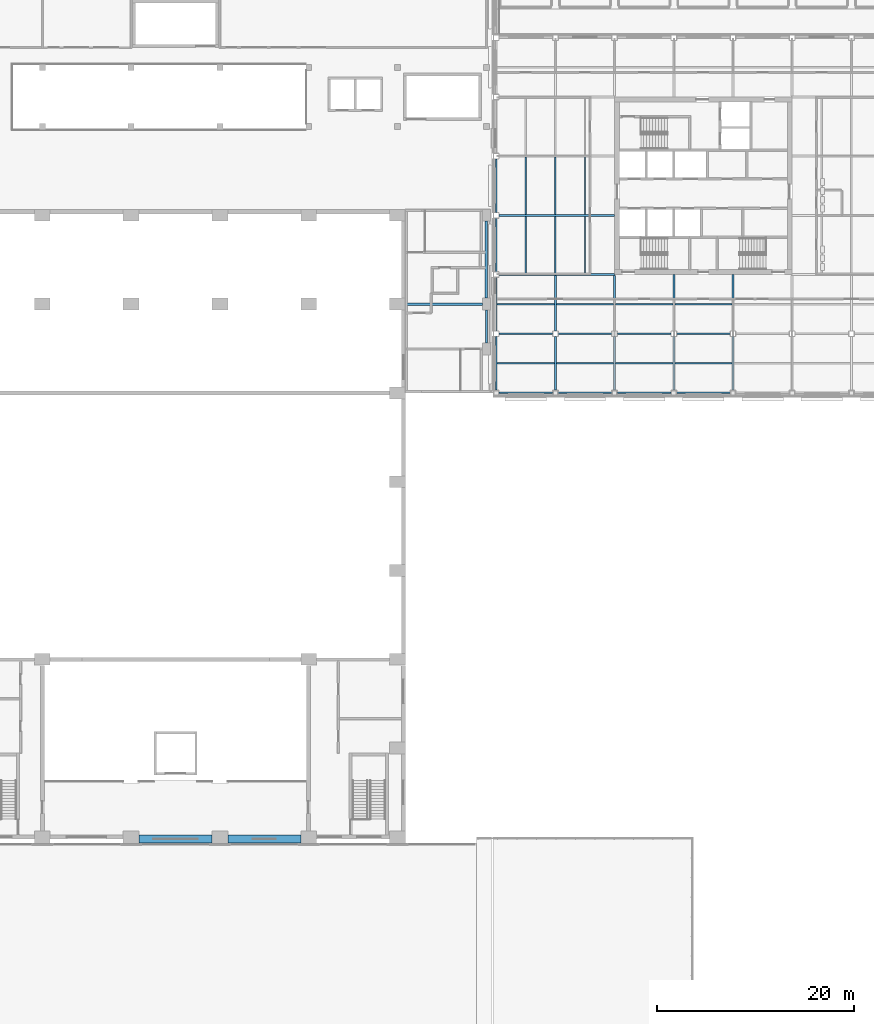
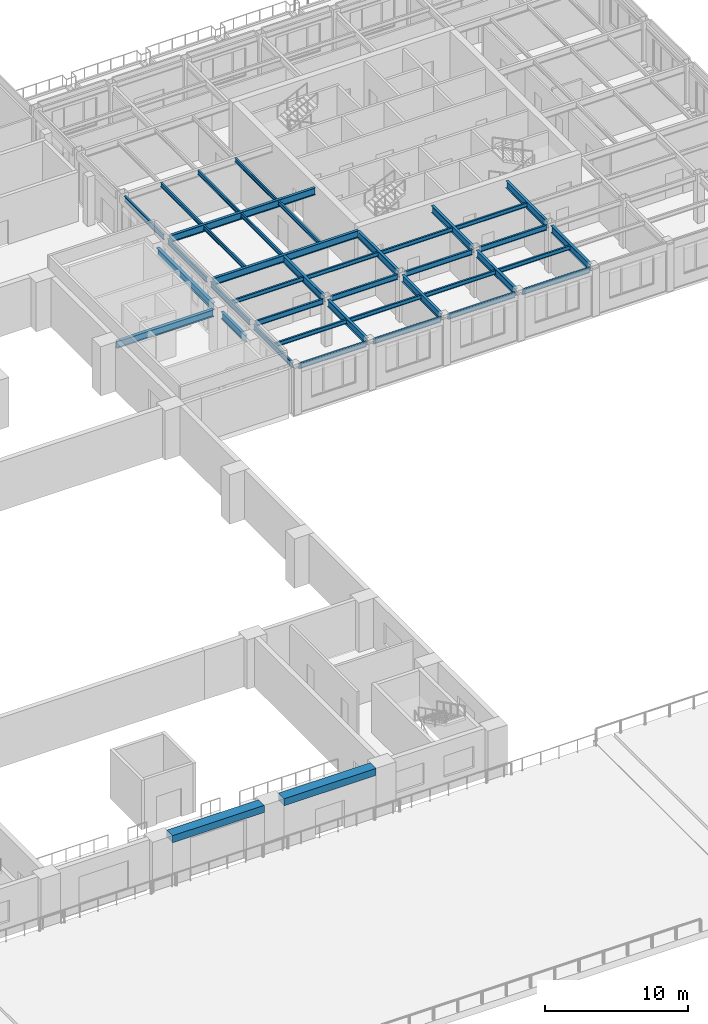
# One storey, part 7 of 39: 41 beams.
"""IFC4 building model written with IfcOpenShell, lengths in metres."""

import ifcopenshell
import ifcopenshell.guid

model = None  # the IFC model being written
_history = None  # IfcOwnerHistory: only IFC2X3 demands one
_inside = {}  # id of a spatial element -> (the spatial element, [elements in it])
_under = {}  # id of a project, library or spatial element -> (it, [spatial elements below it])
_declared = {}  # id of a project -> (the project, [libraries it declares])
_typed = {}  # id of a type object -> (the type object, [elements of that type])
_made_of = {}  # id of a material, layer set ... -> (it, [elements and type objects made of it])


def new_model(schema):
    """Start an empty IFC model of exactly this schema.

    Asked for "IFC4X3", IfcOpenShell would pick the latest addendum, in which some entities
    have other attributes; the version numbers below select the first issue.
    IFC2X3 requires an IfcOwnerHistory on every rooted entity: one is made here for all.
    """
    global model, _history
    if schema == "IFC4X3":
        model = ifcopenshell.file(schema_version=(4, 3, 0, 0))
    else:
        model = ifcopenshell.file(schema=schema)
    _inside.clear()
    _under.clear()
    _declared.clear()
    _typed.clear()
    _made_of.clear()
    _history = None
    if model.schema == "IFC2X3":
        org = make("IfcOrganization", Name="unknown")
        user = make(
            "IfcPersonAndOrganization",
            ThePerson=make("IfcPerson", FamilyName="unknown"),
            TheOrganization=org,
        )
        app = make(
            "IfcApplication",
            ApplicationDeveloper=org,
            Version="unknown",
            ApplicationFullName="unknown",
            ApplicationIdentifier="unknown",
        )
        _history = make(
            "IfcOwnerHistory",
            OwningUser=user,
            OwningApplication=app,
            ChangeAction="ADDED",
            CreationDate=0,
        )
    return model


def make(cls, **values):
    """One entity of the class cls with the attributes given. An attribute that is None is left unset."""
    return model.create_entity(
        cls, **{name: value for name, value in values.items() if value is not None}
    )


def rooted(cls, **values):
    """An entity with a GlobalId (a new one), such as an element, a storey or a relation."""
    return make(cls, GlobalId=ifcopenshell.guid.new(), OwnerHistory=_history, **values)


def si_unit(unit_type, name, prefix=None):
    """IfcSIUnit, for example si_unit("LENGTHUNIT", "METRE", prefix="MILLI")."""
    return make("IfcSIUnit", UnitType=unit_type, Prefix=prefix, Name=name)


def assignment(units):
    """IfcUnitAssignment: the units of a project."""
    return None if units is None else make("IfcUnitAssignment", Units=units)


def point(xyz):
    """IfcCartesianPoint."""
    return None if xyz is None else make("IfcCartesianPoint", Coordinates=xyz)


def direction(xyz):
    """IfcDirection."""
    return None if xyz is None else make("IfcDirection", DirectionRatios=xyz)


def frame(location, z_axis=None, x_axis=None):
    """IfcAxis2Placement3D, a coordinate frame: its origin and axes. An axis left out is left unset."""
    return make(
        "IfcAxis2Placement3D",
        Location=point(location),
        Axis=direction(z_axis),
        RefDirection=direction(x_axis),
    )


def frame_2d(location, x_axis=None):
    """IfcAxis2Placement2D, a coordinate frame in the plane: its origin and x axis."""
    return make(
        "IfcAxis2Placement2D", Location=point(location), RefDirection=direction(x_axis)
    )


def origin():
    """The frame at (0, 0, 0) with its axes left unset."""
    return frame((0.0, 0.0, 0.0))


def origin_2d():
    """The frame at (0, 0) in the plane with its x axis left unset."""
    return frame_2d((0.0, 0.0))


def place(relative_to, where):
    """IfcLocalPlacement: puts the frame where relative to a parent placement (None: the world)."""
    return make(
        "IfcLocalPlacement", PlacementRelTo=relative_to, RelativePlacement=where
    )


def context(
    kind, dimensions, precision=None, world=None, true_north=None, identifier=None
):
    """IfcGeometricRepresentationContext, for example the 3D "Model" context."""
    return make(
        "IfcGeometricRepresentationContext",
        ContextIdentifier=identifier,
        ContextType=kind,
        CoordinateSpaceDimension=dimensions,
        Precision=precision,
        WorldCoordinateSystem=world,
        TrueNorth=true_north,
    )


def subcontext(parent, identifier, kind, view, scale=None):
    """IfcGeometricRepresentationSubContext, for example "Body" below "Model"."""
    return make(
        "IfcGeometricRepresentationSubContext",
        ContextIdentifier=identifier,
        ContextType=kind,
        ParentContext=parent,
        TargetScale=scale,
        TargetView=view,
    )


def project(units=None, contexts=None):
    """IfcProject with its units and contexts."""
    return rooted(
        "IfcProject",
        Name="project",
        RepresentationContexts=contexts,
        UnitsInContext=assignment(units),
    )


def spatial(cls, under=None, at=None, **own):
    """A site, building, storey or space (cls), placed at a placement, below another one or the project."""
    s = rooted(cls, ObjectPlacement=at, **own)
    if under is not None:
        _under.setdefault(under.id(), (under, []))[1].append(s)
    return s


def profile(cls, at=None, kind="AREA", **sizes):
    """A parametric profile (cls). Its sizes go by their IFC names, for example OverallWidth=200.0."""
    return make(cls, ProfileType=kind, Position=at, **sizes)


def rectangle(**sizes):
    """IfcRectangleProfileDef."""
    return profile("IfcRectangleProfileDef", **sizes)


def i_section(**sizes):
    """IfcIShapeProfileDef."""
    return profile("IfcIShapeProfileDef", **sizes)


def extrude(swept, where, along, depth):
    """IfcExtrudedAreaSolid: the profile swept, set in the frame where, extruded along a direction by depth."""
    return make(
        "IfcExtrudedAreaSolid",
        SweptArea=swept,
        Position=where,
        ExtrudedDirection=direction(along),
        Depth=depth,
    )


def shape(context_of_items, identifier, shape_type, items):
    """IfcShapeRepresentation: the items that make up one representation, for example the "Body"."""
    return make(
        "IfcShapeRepresentation",
        ContextOfItems=context_of_items,
        RepresentationIdentifier=identifier,
        RepresentationType=shape_type,
        Items=items,
    )


def material(Name=None, Category=None):
    """IfcMaterial."""
    return make("IfcMaterial", Name=Name, Category=Category)


def material_profile(
    of_material, cross_section, Name=None, Category=None, Priority=None
):
    """IfcMaterialProfile: a cross section and its material."""
    return make(
        "IfcMaterialProfile",
        Name=Name,
        Material=of_material,
        Profile=cross_section,
        Priority=Priority,
        Category=Category,
    )


def profile_set(profiles, Name=None, composite=None):
    """IfcMaterialProfileSet."""
    return make(
        "IfcMaterialProfileSet",
        Name=Name,
        MaterialProfiles=profiles,
        CompositeProfile=composite,
    )


def made_of(thing, what):
    """Note that an element or type object is made of a material, layer set ...; save() writes the relation."""
    if what is not None:
        _made_of.setdefault(what.id(), (what, []))[1].append(thing)
    return thing


def type_object(cls, material=None, **own):
    """A type object (cls), such as IfcWallType, which elements share."""
    return made_of(rooted(cls, **own), material)


def element(
    cls,
    number,
    at=None,
    inside=None,
    cuts=None,
    type_object=None,
    material=None,
    context=None,
    identifier="Body",
    shape_type=None,
    held_by="IfcProductDefinitionShape",
    body=None,
    shapes=None,
    **own,
):
    """One element of the class cls, such as IfcWall. Its Tag is "e" and its number.

    at: its placement. inside: the storey or other place that contains it. cuts: it is an
    opening in that element (IfcRelVoidsElement). A single representation is given by context,
    identifier, shape_type and body (its items); several are given by shapes. held_by: the class
    of the entity that holds the representations. save() writes the other relations.
    """
    e = rooted(cls, Tag="e%d" % number, ObjectPlacement=at, **own)
    if body is not None:
        shapes = [shape(context, identifier, shape_type, body)]
    if shapes is not None:
        e.Representation = make(held_by, Representations=shapes)
    if inside is not None:
        _inside.setdefault(inside.id(), (inside, []))[1].append(e)
    if cuts is not None:
        rooted(
            "IfcRelVoidsElement", RelatingBuildingElement=cuts, RelatedOpeningElement=e
        )
    if type_object is not None:
        _typed.setdefault(type_object.id(), (type_object, []))[1].append(e)
    return made_of(e, material)


def aggregate(whole, parts):
    """IfcRelAggregates: a whole, such as a stair, and the parts it consists of."""
    return rooted("IfcRelAggregates", RelatingObject=whole, RelatedObjects=parts)


def save(model, path):
    """Write the relations noted so far, then the file.

    IfcRelAggregates (storeys below a building ...), IfcRelContainedInSpatialStructure (elements
    in a storey), IfcRelDefinesByType, IfcRelAssociatesMaterial and IfcRelDeclares: one each for
    every whole, place, type object, material and project.
    """
    for whole, parts in _under.values():
        aggregate(whole, parts)
    for where, things in _inside.values():
        rooted(
            "IfcRelContainedInSpatialStructure",
            RelatedElements=things,
            RelatingStructure=where,
        )
    for kind, things in _typed.values():
        rooted("IfcRelDefinesByType", RelatedObjects=things, RelatingType=kind)
    for what, things in _made_of.values():
        rooted("IfcRelAssociatesMaterial", RelatedObjects=things, RelatingMaterial=what)
    for by, libraries in _declared.values():
        rooted("IfcRelDeclares", RelatingContext=by, RelatedDefinitions=libraries)
    model.write(path)


model = new_model("IFC4")

# Units and contexts
model_context = context("Model", 3, precision=1e-05, world=origin(), true_north=direction((0.0, 1.0)))
body_context = subcontext(model_context, "Body", "Model", "MODEL_VIEW")
ifc_project = project(units=[si_unit("LENGTHUNIT", "METRE"), si_unit("AREAUNIT", "SQUARE_METRE"), si_unit("VOLUMEUNIT", "CUBIC_METRE"), si_unit("PLANEANGLEUNIT", "RADIAN"), si_unit("MASSUNIT", "GRAM", prefix="KILO")], contexts=[model_context])

# Site, building, storey
site_placement = place(None, origin())
site = spatial("IfcSite", under=ifc_project, at=site_placement, CompositionType="ELEMENT")
building_placement = place(site_placement, origin())
building = spatial("IfcBuilding", under=site, at=building_placement, Name="Aravalli Gate Trade Fair Centre", CompositionType="ELEMENT")
storey_placement = place(building_placement, frame((0.0, 0.0, 15.0)))
storey = spatial("IfcBuildingStorey", under=building, at=storey_placement, Name="L03", CompositionType="ELEMENT", Elevation=15.0)

# Beams
ifc_material_1 = material(Name="Concrete M45", Category="concrete")
ifc_material_profile_1 = material_profile(ifc_material_1, rectangle(XDim=0.800048828125, YDim=0.60009765625, at=origin_2d()), Name="RC 800x600")
ifc_profile_set_1 = profile_set([ifc_material_profile_1], Name="Concrete M45")
beam_type_1 = type_object("IfcBeamType", Name="Congress RC edge beam 800 x 600", PredefinedType="BEAM", material=ifc_profile_set_1)
for number, where, z_axis, x_axis, name in (
    (1, (123.800048828125, 45.800048828125, 3.89990234375), (1.0, 0.0, 0.0), (0.0, 1.0, 0.0), "Edge beam S L03 bay 3"),
    (2, (132.800048828125, 45.800048828125, 3.89990234375), (1.0, 0.0, 0.0), (0.0, 1.0, 0.0), "Edge beam S L03 bay 4"),
):
    element("IfcBeam", number, at=place(storey_placement, frame(where, z_axis=z_axis, x_axis=x_axis)), inside=storey, type_object=beam_type_1, Name=name, PredefinedType="BEAM", context=body_context, shape_type="SweptSolid", body=[
        extrude(rectangle(XDim=0.800048828125, YDim=0.60009765625, at=origin_2d()), origin(), (0.0, 0.0, 1.0), 7.39990234375),
    ])
ifc_material_2 = material(Name="Steel E350", Category="steel")
ifc_material_profile_2 = material_profile(ifc_material_2, i_section(OverallWidth=0.2099609375, OverallDepth=0.60009765625, WebThickness=0.011962890625, FlangeThickness=0.020263671875, at=origin_2d()), Name="ISMB 600")
ifc_profile_set_2 = profile_set([ifc_material_profile_2], Name="Steel E350")
beam_type_2 = type_object("IfcBeamType", Name="Link girder ISMB 600", PredefinedType="BEAM", material=ifc_profile_set_2)
beam_1_placement = place(storey_placement, frame((159.0, 96.050048828125, 3.489990234375), z_axis=(0.0, 1.0, 0.0), x_axis=(-1.0, 0.0, 0.0)))
element("IfcBeam", 3, at=beam_1_placement, inside=storey, type_object=beam_type_2, Name="Link girder EFG ROOF LEVEL 1", PredefinedType="BEAM", context=body_context, shape_type="SweptSolid", body=[
    extrude(i_section(OverallWidth=0.2099609375, OverallDepth=0.60009765625, WebThickness=0.011962890625, FlangeThickness=0.020263671875, at=origin_2d()), origin(), (0.0, 0.0, 1.0), 3.349853515625),
])
ifc_material_profile_3 = material_profile(ifc_material_2, i_section(OverallWidth=0.25, OverallDepth=0.60009765625, WebThickness=0.01123046875, FlangeThickness=0.021240234375, at=origin_2d()), Name="ISWB 600")
ifc_profile_set_3 = profile_set([ifc_material_profile_3], Name="Steel E350")
beam_type_3 = type_object("IfcBeamType", Name="Link transfer girder ISWB 600", PredefinedType="BEAM", material=ifc_profile_set_3)
beam_2_placement = place(storey_placement, frame((159.0, 100.60009765625, 3.489990234375), z_axis=(0.0, 1.0, 0.0), x_axis=(-1.0, 0.0, 0.0)))
element("IfcBeam", 4, at=beam_2_placement, inside=storey, type_object=beam_type_3, Name="Link transfer girder EGH ROOF LEVEL 1", PredefinedType="BEAM", context=body_context, shape_type="SweptSolid", body=[
    extrude(i_section(OverallWidth=0.25, OverallDepth=0.60009765625, WebThickness=0.01123046875, FlangeThickness=0.021240234375, at=origin_2d()), origin(), (0.0, 0.0, 1.0), 7.7998046875),
])
beam_3_placement = place(storey_placement, frame((150.800048828125, 100.0, 3.489990234375), z_axis=(1.0, 0.0, 0.0), x_axis=(0.0, 1.0, 0.0)))
element("IfcBeam", 5, at=beam_3_placement, inside=storey, type_object=beam_type_3, Name="Link transfer girder WE ROOF LEVEL 1", PredefinedType="BEAM", context=body_context, shape_type="SweptSolid", body=[
    extrude(i_section(OverallWidth=0.25, OverallDepth=0.60009765625, WebThickness=0.01123046875, FlangeThickness=0.021240234375, at=origin_2d()), origin(), (0.0, 0.0, 1.0), 7.800048828125),
])
ifc_material_profile_4 = material_profile(ifc_material_2, i_section(OverallWidth=0.2099609375, OverallDepth=0.60009765625, WebThickness=0.011962890625, FlangeThickness=0.020263671875, at=origin_2d()), Name="ISMB 600")
ifc_profile_set_4 = profile_set([ifc_material_profile_4], Name="Steel E350")
beam_type_4 = type_object("IfcBeamType", Name="Wing core to perimeter girder ISMB 600 (office floors)", PredefinedType="BEAM", material=ifc_profile_set_4)
for number, where, z_axis, x_axis, name in (
    (6, (160.27490234375, 103.0, 3.699951171875), (1.0, 0.0, 0.0), (0.0, 1.0, 0.0), "Core to perimeter girder PW0 L04"),
    (7, (160.27490234375, 109.0, 3.699951171875), (1.0, 0.0, 0.0), (0.0, 1.0, 0.0), "Core to perimeter girder PW1 L04"),
):
    element("IfcBeam", number, at=place(storey_placement, frame(where, z_axis=z_axis, x_axis=x_axis)), inside=storey, type_object=beam_type_4, Name=name, PredefinedType="BEAM", context=body_context, shape_type="SweptSolid", body=[
        extrude(i_section(OverallWidth=0.2099609375, OverallDepth=0.60009765625, WebThickness=0.011962890625, FlangeThickness=0.020263671875, at=origin_2d()), origin(), (0.0, 0.0, 1.0), 11.72509765625),
    ])
beam_4_placement = place(storey_placement, frame((172.0, 91.27490234375, 3.699951171875), z_axis=(0.0, 1.0, 0.0), x_axis=(-1.0, 0.0, 0.0)))
element("IfcBeam", 8, at=beam_4_placement, inside=storey, type_object=beam_type_4, Name="Core to perimeter girder PS0a L04", PredefinedType="BEAM", context=body_context, shape_type="SweptSolid", body=[
    extrude(i_section(OverallWidth=0.2099609375, OverallDepth=0.60009765625, WebThickness=0.011962890625, FlangeThickness=0.020263671875, at=origin_2d()), origin(), (0.0, 0.0, 1.0), 5.4501953125),
])
beam_5_placement = place(storey_placement, frame((172.0, 97.27490234375, 3.699951171875), z_axis=(0.0, 1.0, 0.0), x_axis=(-1.0, 0.0, 0.0)))
element("IfcBeam", 9, at=beam_5_placement, inside=storey, type_object=beam_type_4, Name="Core to perimeter girder PS0b L04", PredefinedType="BEAM", context=body_context, shape_type="SweptSolid", body=[
    extrude(i_section(OverallWidth=0.2099609375, OverallDepth=0.60009765625, WebThickness=0.011962890625, FlangeThickness=0.020263671875, at=origin_2d()), origin(), (0.0, 0.0, 1.0), 5.6201171875),
])
beam_6_placement = place(storey_placement, frame((178.0, 91.27490234375, 3.699951171875), z_axis=(0.0, 1.0, 0.0), x_axis=(-1.0, 0.0, 0.0)))
element("IfcBeam", 10, at=beam_6_placement, inside=storey, type_object=beam_type_4, Name="Core to perimeter girder PS1a L04", PredefinedType="BEAM", context=body_context, shape_type="SweptSolid", body=[
    extrude(i_section(OverallWidth=0.2099609375, OverallDepth=0.60009765625, WebThickness=0.011962890625, FlangeThickness=0.020263671875, at=origin_2d()), origin(), (0.0, 0.0, 1.0), 5.4501953125),
])
beam_7_placement = place(storey_placement, frame((178.0, 97.27490234375, 3.699951171875), z_axis=(0.0, 1.0, 0.0), x_axis=(-1.0, 0.0, 0.0)))
element("IfcBeam", 11, at=beam_7_placement, inside=storey, type_object=beam_type_4, Name="Core to perimeter girder PS1b L04", PredefinedType="BEAM", context=body_context, shape_type="SweptSolid", body=[
    extrude(i_section(OverallWidth=0.2099609375, OverallDepth=0.60009765625, WebThickness=0.011962890625, FlangeThickness=0.020263671875, at=origin_2d()), origin(), (0.0, 0.0, 1.0), 5.72509765625),
])
beam_8_placement = place(storey_placement, frame((184.0, 91.27490234375, 3.699951171875), z_axis=(0.0, 1.0, 0.0), x_axis=(-1.0, 0.0, 0.0)))
element("IfcBeam", 12, at=beam_8_placement, inside=storey, type_object=beam_type_4, Name="Core to perimeter girder PS2a L04", PredefinedType="BEAM", context=body_context, shape_type="SweptSolid", body=[
    extrude(i_section(OverallWidth=0.2099609375, OverallDepth=0.60009765625, WebThickness=0.011962890625, FlangeThickness=0.020263671875, at=origin_2d()), origin(), (0.0, 0.0, 1.0), 5.4501953125),
])
beam_9_placement = place(storey_placement, frame((184.0, 97.27490234375, 3.699951171875), z_axis=(0.0, 1.0, 0.0), x_axis=(-1.0, 0.0, 0.0)))
element("IfcBeam", 13, at=beam_9_placement, inside=storey, type_object=beam_type_4, Name="Core to perimeter girder PS2b L04", PredefinedType="BEAM", context=body_context, shape_type="SweptSolid", body=[
    extrude(i_section(OverallWidth=0.2099609375, OverallDepth=0.60009765625, WebThickness=0.011962890625, FlangeThickness=0.020263671875, at=origin_2d()), origin(), (0.0, 0.0, 1.0), 5.72509765625),
])
ifc_material_profile_5 = material_profile(ifc_material_2, i_section(OverallWidth=0.2099609375, OverallDepth=0.60009765625, WebThickness=0.011962890625, FlangeThickness=0.020263671875, at=origin_2d()), Name="ISMB 600")
ifc_profile_set_5 = profile_set([ifc_material_profile_5], Name="Steel E350")
beam_type_5 = type_object("IfcBeamType", Name="Wing corner transfer girder ISMB 600 (office floors)", PredefinedType="BEAM", material=ifc_profile_set_5)
beam_10_placement = place(storey_placement, frame((166.0, 91.27490234375, 3.699951171875), z_axis=(0.0, 1.0, 0.0), x_axis=(-1.0, 0.0, 0.0)))
element("IfcBeam", 14, at=beam_10_placement, inside=storey, type_object=beam_type_5, Name="Corner transfer girder CSWya L04", PredefinedType="BEAM", context=body_context, shape_type="SweptSolid", body=[
    extrude(i_section(OverallWidth=0.2099609375, OverallDepth=0.60009765625, WebThickness=0.011962890625, FlangeThickness=0.020263671875, at=origin_2d()), origin(), (0.0, 0.0, 1.0), 5.4501953125),
])
beam_11_placement = place(storey_placement, frame((166.0, 97.27490234375, 3.699951171875), z_axis=(0.0, 1.0, 0.0), x_axis=(-1.0, 0.0, 0.0)))
element("IfcBeam", 15, at=beam_11_placement, inside=storey, type_object=beam_type_5, Name="Corner transfer girder CSWyb L04", PredefinedType="BEAM", context=body_context, shape_type="SweptSolid", body=[
    extrude(i_section(OverallWidth=0.2099609375, OverallDepth=0.60009765625, WebThickness=0.011962890625, FlangeThickness=0.020263671875, at=origin_2d()), origin(), (0.0, 0.0, 1.0), 5.6201171875),
])
ifc_material_profile_6 = material_profile(ifc_material_2, i_section(OverallWidth=0.14990234375, OverallDepth=0.449951171875, WebThickness=0.009521484375, FlangeThickness=0.017333984375, at=origin_2d()), Name="ISMB 450")
ifc_profile_set_6 = profile_set([ifc_material_profile_6], Name="Steel E350")
beam_type_6 = type_object("IfcBeamType", Name="Wing perimeter beam ISMB 450 (office floors)", PredefinedType="BEAM", material=ifc_profile_set_6)
for number, where, z_axis, x_axis, name in (
    (16, (160.27490234375, 91.0, 3.77490234375), (1.0, 0.0, 0.0), (0.0, 1.0, 0.0), "Perimeter beam ES0 L04"),
    (17, (166.27490234375, 91.0, 3.77490234375), (1.0, 0.0, 0.0), (0.0, 1.0, 0.0), "Perimeter beam ES1 L04"),
    (18, (172.27490234375, 91.0, 3.77490234375), (1.0, 0.0, 0.0), (0.0, 1.0, 0.0), "Perimeter beam ES2 L04"),
    (19, (178.27490234375, 91.0, 3.77490234375), (1.0, 0.0, 0.0), (0.0, 1.0, 0.0), "Perimeter beam ES3 L04"),
    (20, (160.27490234375, 97.0, 3.77490234375), (1.0, 0.0, 0.0), (0.0, 1.0, 0.0), "Perimeter beam ER0 L04"),
    (21, (166.27490234375, 97.0, 3.77490234375), (1.0, 0.0, 0.0), (0.0, 1.0, 0.0), "Perimeter beam ER1 L04"),
    (22, (172.27490234375, 97.0, 3.77490234375), (1.0, 0.0, 0.0), (0.0, 1.0, 0.0), "Perimeter beam ER2 L04"),
    (23, (178.27490234375, 97.0, 3.77490234375), (1.0, 0.0, 0.0), (0.0, 1.0, 0.0), "Perimeter beam ER3 L04"),
    (24, (160.0, 91.27490234375, 3.77490234375), (0.0, 1.0, 0.0), (-1.0, 0.0, 0.0), "Perimeter beam EW0 L04"),
    (25, (160.0, 97.27490234375, 3.77490234375), (0.0, 1.0, 0.0), (-1.0, 0.0, 0.0), "Perimeter beam EW1 L04"),
    (26, (160.0, 103.27490234375, 3.77490234375), (0.0, 1.0, 0.0), (-1.0, 0.0, 0.0), "Perimeter beam EW2 L04"),
    (27, (160.0, 109.27490234375, 3.77490234375), (0.0, 1.0, 0.0), (-1.0, 0.0, 0.0), "Perimeter beam EW3 L04"),
):
    element("IfcBeam", number, at=place(storey_placement, frame(where, z_axis=z_axis, x_axis=x_axis)), inside=storey, type_object=beam_type_6, Name=name, PredefinedType="BEAM", context=body_context, shape_type="SweptSolid", body=[
        extrude(i_section(OverallWidth=0.14990234375, OverallDepth=0.449951171875, WebThickness=0.009521484375, FlangeThickness=0.017333984375, at=origin_2d()), origin(), (0.0, 0.0, 1.0), 5.4501953125),
    ])
ifc_material_profile_7 = material_profile(ifc_material_2, i_section(OverallWidth=0.139892578125, OverallDepth=0.35009765625, WebThickness=0.008056640625, FlangeThickness=0.01416015625, at=origin_2d()), Name="ISMB 350")
ifc_profile_set_7 = profile_set([ifc_material_profile_7], Name="Steel E350")
beam_type_7 = type_object("IfcBeamType", Name="Wing secondary beam ISMB 350 (office floors)", PredefinedType="BEAM", material=ifc_profile_set_7)
beam_12_placement = place(storey_placement, frame((160.074951171875, 94.0, 3.824951171875), z_axis=(1.0, 0.0, 0.0), x_axis=(0.0, 1.0, 0.0)))
element("IfcBeam", 28, at=beam_12_placement, inside=storey, type_object=beam_type_7, Name="Secondary beam KWS00 L04", PredefinedType="BEAM", context=body_context, shape_type="SweptSolid", body=[
    extrude(i_section(OverallWidth=0.139892578125, OverallDepth=0.35009765625, WebThickness=0.008056640625, FlangeThickness=0.01416015625, at=origin_2d()), origin(), (0.0, 0.0, 1.0), 5.820068359375),
])
beam_13_placement = place(storey_placement, frame((166.10498046875, 94.0, 3.824951171875), z_axis=(1.0, 0.0, 0.0), x_axis=(0.0, 1.0, 0.0)))
element("IfcBeam", 29, at=beam_13_placement, inside=storey, type_object=beam_type_7, Name="Secondary beam KWS01 L04", PredefinedType="BEAM", context=body_context, shape_type="SweptSolid", body=[
    extrude(i_section(OverallWidth=0.139892578125, OverallDepth=0.35009765625, WebThickness=0.008056640625, FlangeThickness=0.01416015625, at=origin_2d()), origin(), (0.0, 0.0, 1.0), 5.7900390625),
])
beam_14_placement = place(storey_placement, frame((160.074951171875, 100.0, 3.824951171875), z_axis=(1.0, 0.0, 0.0), x_axis=(0.0, 1.0, 0.0)))
element("IfcBeam", 30, at=beam_14_placement, inside=storey, type_object=beam_type_7, Name="Secondary beam KWS10 L04", PredefinedType="BEAM", context=body_context, shape_type="SweptSolid", body=[
    extrude(i_section(OverallWidth=0.139892578125, OverallDepth=0.35009765625, WebThickness=0.008056640625, FlangeThickness=0.01416015625, at=origin_2d()), origin(), (0.0, 0.0, 1.0), 5.820068359375),
])
for number, where, z_axis, x_axis, name in (
    (31, (166.10498046875, 100.0, 3.824951171875), (1.0, 0.0, 0.0), (0.0, 1.0, 0.0), "Secondary beam KWS11 L04"),
    (32, (163.0, 103.10498046875, 3.824951171875), (0.0, 1.0, 0.0), (-1.0, 0.0, 0.0), "Secondary beam BW0163 L04"),
    (33, (166.0, 103.10498046875, 3.824951171875), (0.0, 1.0, 0.0), (-1.0, 0.0, 0.0), "Secondary beam BW0166 L04"),
    (34, (169.0, 103.10498046875, 3.824951171875), (0.0, 1.0, 0.0), (-1.0, 0.0, 0.0), "Secondary beam BW0169 L04"),
    (35, (163.0, 109.10498046875, 3.824951171875), (0.0, 1.0, 0.0), (-1.0, 0.0, 0.0), "Secondary beam BW1163 L04"),
    (36, (166.0, 109.10498046875, 3.824951171875), (0.0, 1.0, 0.0), (-1.0, 0.0, 0.0), "Secondary beam BW1166 L04"),
    (37, (169.0, 109.10498046875, 3.824951171875), (0.0, 1.0, 0.0), (-1.0, 0.0, 0.0), "Secondary beam BW1169 L04"),
    (38, (172.10498046875, 94.0, 3.824951171875), (1.0, 0.0, 0.0), (0.0, 1.0, 0.0), "Secondary beam BS094 L04"),
    (39, (172.10498046875, 100.0, 3.824951171875), (1.0, 0.0, 0.0), (0.0, 1.0, 0.0), "Secondary beam BS0100 L04"),
    (40, (178.10498046875, 94.0, 3.824951171875), (1.0, 0.0, 0.0), (0.0, 1.0, 0.0), "Secondary beam BS194 L04"),
    (41, (178.10498046875, 100.0, 3.824951171875), (1.0, 0.0, 0.0), (0.0, 1.0, 0.0), "Secondary beam BS1100 L04"),
):
    element("IfcBeam", number, at=place(storey_placement, frame(where, z_axis=z_axis, x_axis=x_axis)), inside=storey, type_object=beam_type_7, Name=name, PredefinedType="BEAM", context=body_context, shape_type="SweptSolid", body=[
        extrude(i_section(OverallWidth=0.139892578125, OverallDepth=0.35009765625, WebThickness=0.008056640625, FlangeThickness=0.01416015625, at=origin_2d()), origin(), (0.0, 0.0, 1.0), 5.7900390625),
    ])

save(model, "model.ifc")
